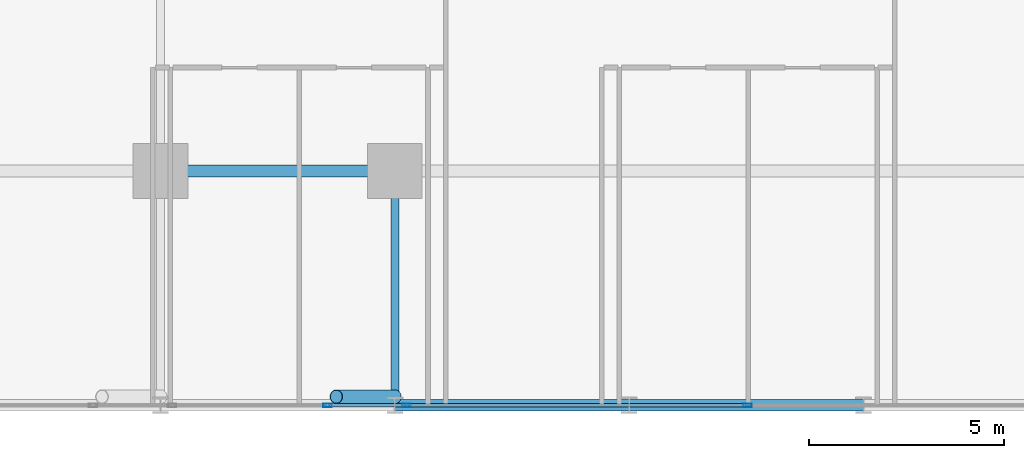
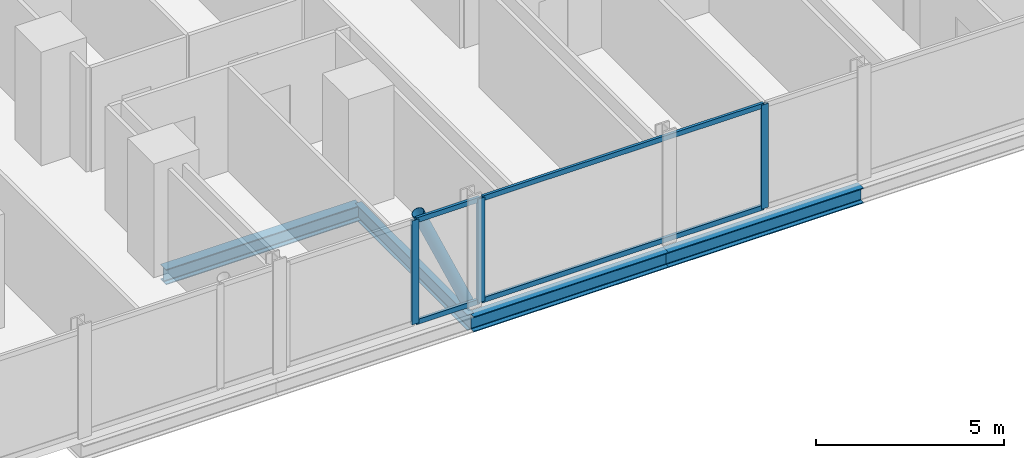
# One storey, part 7 of 33: 8 members, 4 beams, 2 elements without a shape of their own.
"""IFC4 building model written with IfcOpenShell, lengths in metres."""

import ifcopenshell
import ifcopenshell.guid

model = None  # the IFC model being written
_history = None  # IfcOwnerHistory: only IFC2X3 demands one
_inside = {}  # id of a spatial element -> (the spatial element, [elements in it])
_under = {}  # id of a project, library or spatial element -> (it, [spatial elements below it])
_declared = {}  # id of a project -> (the project, [libraries it declares])
_typed = {}  # id of a type object -> (the type object, [elements of that type])
_made_of = {}  # id of a material, layer set ... -> (it, [elements and type objects made of it])


def new_model(schema):
    """Start an empty IFC model of exactly this schema.

    Asked for "IFC4X3", IfcOpenShell would pick the latest addendum, in which some entities
    have other attributes; the version numbers below select the first issue.
    IFC2X3 requires an IfcOwnerHistory on every rooted entity: one is made here for all.
    """
    global model, _history
    if schema == "IFC4X3":
        model = ifcopenshell.file(schema_version=(4, 3, 0, 0))
    else:
        model = ifcopenshell.file(schema=schema)
    _inside.clear()
    _under.clear()
    _declared.clear()
    _typed.clear()
    _made_of.clear()
    _history = None
    if model.schema == "IFC2X3":
        org = make("IfcOrganization", Name="unknown")
        user = make(
            "IfcPersonAndOrganization",
            ThePerson=make("IfcPerson", FamilyName="unknown"),
            TheOrganization=org,
        )
        app = make(
            "IfcApplication",
            ApplicationDeveloper=org,
            Version="unknown",
            ApplicationFullName="unknown",
            ApplicationIdentifier="unknown",
        )
        _history = make(
            "IfcOwnerHistory",
            OwningUser=user,
            OwningApplication=app,
            ChangeAction="ADDED",
            CreationDate=0,
        )
    return model


def make(cls, **values):
    """One entity of the class cls with the attributes given. An attribute that is None is left unset."""
    return model.create_entity(
        cls, **{name: value for name, value in values.items() if value is not None}
    )


def rooted(cls, **values):
    """An entity with a GlobalId (a new one), such as an element, a storey or a relation."""
    return make(cls, GlobalId=ifcopenshell.guid.new(), OwnerHistory=_history, **values)


def si_unit(unit_type, name, prefix=None):
    """IfcSIUnit, for example si_unit("LENGTHUNIT", "METRE", prefix="MILLI")."""
    return make("IfcSIUnit", UnitType=unit_type, Prefix=prefix, Name=name)


def assignment(units):
    """IfcUnitAssignment: the units of a project."""
    return None if units is None else make("IfcUnitAssignment", Units=units)


def point(xyz):
    """IfcCartesianPoint."""
    return None if xyz is None else make("IfcCartesianPoint", Coordinates=xyz)


def direction(xyz):
    """IfcDirection."""
    return None if xyz is None else make("IfcDirection", DirectionRatios=xyz)


def frame(location, z_axis=None, x_axis=None):
    """IfcAxis2Placement3D, a coordinate frame: its origin and axes. An axis left out is left unset."""
    return make(
        "IfcAxis2Placement3D",
        Location=point(location),
        Axis=direction(z_axis),
        RefDirection=direction(x_axis),
    )


def frame_2d(location, x_axis=None):
    """IfcAxis2Placement2D, a coordinate frame in the plane: its origin and x axis."""
    return make(
        "IfcAxis2Placement2D", Location=point(location), RefDirection=direction(x_axis)
    )


def origin():
    """The frame at (0, 0, 0) with its axes left unset."""
    return frame((0.0, 0.0, 0.0))


def origin_2d():
    """The frame at (0, 0) in the plane with its x axis left unset."""
    return frame_2d((0.0, 0.0))


def place(relative_to, where):
    """IfcLocalPlacement: puts the frame where relative to a parent placement (None: the world)."""
    return make(
        "IfcLocalPlacement", PlacementRelTo=relative_to, RelativePlacement=where
    )


def context(
    kind, dimensions, precision=None, world=None, true_north=None, identifier=None
):
    """IfcGeometricRepresentationContext, for example the 3D "Model" context."""
    return make(
        "IfcGeometricRepresentationContext",
        ContextIdentifier=identifier,
        ContextType=kind,
        CoordinateSpaceDimension=dimensions,
        Precision=precision,
        WorldCoordinateSystem=world,
        TrueNorth=true_north,
    )


def subcontext(parent, identifier, kind, view, scale=None):
    """IfcGeometricRepresentationSubContext, for example "Body" below "Model"."""
    return make(
        "IfcGeometricRepresentationSubContext",
        ContextIdentifier=identifier,
        ContextType=kind,
        ParentContext=parent,
        TargetScale=scale,
        TargetView=view,
    )


def project(units=None, contexts=None):
    """IfcProject with its units and contexts."""
    return rooted(
        "IfcProject",
        Name="project",
        RepresentationContexts=contexts,
        UnitsInContext=assignment(units),
    )


def spatial(cls, under=None, at=None, **own):
    """A site, building, storey or space (cls), placed at a placement, below another one or the project."""
    s = rooted(cls, ObjectPlacement=at, **own)
    if under is not None:
        _under.setdefault(under.id(), (under, []))[1].append(s)
    return s


def profile(cls, at=None, kind="AREA", **sizes):
    """A parametric profile (cls). Its sizes go by their IFC names, for example OverallWidth=200.0."""
    return make(cls, ProfileType=kind, Position=at, **sizes)


def hollow_rectangle(**sizes):
    """IfcRectangleHollowProfileDef."""
    return profile("IfcRectangleHollowProfileDef", **sizes)


def hollow_circle(**sizes):
    """IfcCircleHollowProfileDef."""
    return profile("IfcCircleHollowProfileDef", **sizes)


def i_section(**sizes):
    """IfcIShapeProfileDef."""
    return profile("IfcIShapeProfileDef", **sizes)


def extrude(swept, where, along, depth):
    """IfcExtrudedAreaSolid: the profile swept, set in the frame where, extruded along a direction by depth."""
    return make(
        "IfcExtrudedAreaSolid",
        SweptArea=swept,
        Position=where,
        ExtrudedDirection=direction(along),
        Depth=depth,
    )


def shape(context_of_items, identifier, shape_type, items):
    """IfcShapeRepresentation: the items that make up one representation, for example the "Body"."""
    return make(
        "IfcShapeRepresentation",
        ContextOfItems=context_of_items,
        RepresentationIdentifier=identifier,
        RepresentationType=shape_type,
        Items=items,
    )


def material(Name=None, Category=None):
    """IfcMaterial."""
    return make("IfcMaterial", Name=Name, Category=Category)


def layer(
    of_material, thickness, ventilated=None, Name=None, Category=None, Priority=None
):
    """IfcMaterialLayer: one layer of a wall or slab, of a material (None: an air gap)."""
    return make(
        "IfcMaterialLayer",
        Material=of_material,
        LayerThickness=thickness,
        IsVentilated=ventilated,
        Name=Name,
        Category=Category,
        Priority=Priority,
    )


def layer_set(layers, Name=None):
    """IfcMaterialLayerSet."""
    return make("IfcMaterialLayerSet", MaterialLayers=layers, LayerSetName=Name)


def material_profile(
    of_material, cross_section, Name=None, Category=None, Priority=None
):
    """IfcMaterialProfile: a cross section and its material."""
    return make(
        "IfcMaterialProfile",
        Name=Name,
        Material=of_material,
        Profile=cross_section,
        Priority=Priority,
        Category=Category,
    )


def profile_set(profiles, Name=None, composite=None):
    """IfcMaterialProfileSet."""
    return make(
        "IfcMaterialProfileSet",
        Name=Name,
        MaterialProfiles=profiles,
        CompositeProfile=composite,
    )


def made_of(thing, what):
    """Note that an element or type object is made of a material, layer set ...; save() writes the relation."""
    if what is not None:
        _made_of.setdefault(what.id(), (what, []))[1].append(thing)
    return thing


def type_object(cls, material=None, **own):
    """A type object (cls), such as IfcWallType, which elements share."""
    return made_of(rooted(cls, **own), material)


def element(
    cls,
    number,
    at=None,
    inside=None,
    cuts=None,
    type_object=None,
    material=None,
    context=None,
    identifier="Body",
    shape_type=None,
    held_by="IfcProductDefinitionShape",
    body=None,
    shapes=None,
    **own,
):
    """One element of the class cls, such as IfcWall. Its Tag is "e" and its number.

    at: its placement. inside: the storey or other place that contains it. cuts: it is an
    opening in that element (IfcRelVoidsElement). A single representation is given by context,
    identifier, shape_type and body (its items); several are given by shapes. held_by: the class
    of the entity that holds the representations. save() writes the other relations.
    """
    e = rooted(cls, Tag="e%d" % number, ObjectPlacement=at, **own)
    if body is not None:
        shapes = [shape(context, identifier, shape_type, body)]
    if shapes is not None:
        e.Representation = make(held_by, Representations=shapes)
    if inside is not None:
        _inside.setdefault(inside.id(), (inside, []))[1].append(e)
    if cuts is not None:
        rooted(
            "IfcRelVoidsElement", RelatingBuildingElement=cuts, RelatedOpeningElement=e
        )
    if type_object is not None:
        _typed.setdefault(type_object.id(), (type_object, []))[1].append(e)
    return made_of(e, material)


def aggregate(whole, parts):
    """IfcRelAggregates: a whole, such as a stair, and the parts it consists of."""
    return rooted("IfcRelAggregates", RelatingObject=whole, RelatedObjects=parts)


def save(model, path):
    """Write the relations noted so far, then the file.

    IfcRelAggregates (storeys below a building ...), IfcRelContainedInSpatialStructure (elements
    in a storey), IfcRelDefinesByType, IfcRelAssociatesMaterial and IfcRelDeclares: one each for
    every whole, place, type object, material and project.
    """
    for whole, parts in _under.values():
        aggregate(whole, parts)
    for where, things in _inside.values():
        rooted(
            "IfcRelContainedInSpatialStructure",
            RelatedElements=things,
            RelatingStructure=where,
        )
    for kind, things in _typed.values():
        rooted("IfcRelDefinesByType", RelatedObjects=things, RelatingType=kind)
    for what, things in _made_of.values():
        rooted("IfcRelAssociatesMaterial", RelatedObjects=things, RelatingMaterial=what)
    for by, libraries in _declared.values():
        rooted("IfcRelDeclares", RelatingContext=by, RelatedDefinitions=libraries)
    model.write(path)


model = new_model("IFC4")

# Units and contexts
model_context = context("Model", 3, precision=1e-05, world=origin(), true_north=direction((0.0, 1.0)))
body_context = subcontext(model_context, "Body", "Model", "MODEL_VIEW")
ifc_project = project(units=[si_unit("LENGTHUNIT", "METRE"), si_unit("AREAUNIT", "SQUARE_METRE"), si_unit("VOLUMEUNIT", "CUBIC_METRE"), si_unit("PLANEANGLEUNIT", "RADIAN"), si_unit("MASSUNIT", "GRAM", prefix="KILO")], contexts=[model_context])

# Site, building, storey
site_placement = place(None, origin())
site = spatial("IfcSite", under=ifc_project, at=site_placement, CompositionType="ELEMENT")
building_placement = place(site_placement, origin())
building = spatial("IfcBuilding", under=site, at=building_placement, Name="Keshet Zoharim Tower", CompositionType="ELEMENT")
storey_placement = place(building_placement, frame((0.0, 0.0, 49.89990234375)))
storey = spatial("IfcBuildingStorey", under=building, at=storey_placement, Name="L11", CompositionType="ELEMENT", Elevation=49.89990234375)

# Beams
ifc_material_1 = material(Name="Steel S355", Category="steel")
ifc_material_profile_1 = material_profile(ifc_material_1, i_section(OverallWidth=0.199951171875, OverallDepth=0.5, WebThickness=0.01025390625, FlangeThickness=0.01611328125, FilletRadius=0.02099609375, at=origin_2d()), Name="IPE500")
ifc_profile_set_1 = profile_set([ifc_material_profile_1], Name="Steel S355")
beam_type_1 = type_object("IfcBeamType", Name="BM-PRI-IP500", PredefinedType="BEAM", material=ifc_profile_set_1)
beam_placement = place(storey_placement, frame((39.0, 0.699951171875, -0.56494140625), z_axis=(0.0, 1.0, 0.0), x_axis=(-1.0, 0.0, 0.0)))
element("IfcBeam", 1, at=beam_placement, inside=storey, type_object=beam_type_1, Name="L11 Primary Girder Y-012", PredefinedType="BEAM", context=body_context, shape_type="SweptSolid", body=[
    extrude(i_section(OverallWidth=0.199951171875, OverallDepth=0.5, WebThickness=0.01025390625, FlangeThickness=0.01611328125, FilletRadius=0.02099609375, at=origin_2d()), origin(), (0.0, 0.0, 1.0), 6.0),
])
ifc_material_profile_2 = material_profile(ifc_material_1, i_section(OverallWidth=0.300048828125, OverallDepth=0.5, WebThickness=0.014404296875, FlangeThickness=0.028076171875, FilletRadius=0.027099609375, at=origin_2d()), Name="HEB500")
ifc_profile_set_2 = profile_set([ifc_material_profile_2], Name="Steel S355")
beam_type_2 = type_object("IfcBeamType", Name="BM-WEB-HB500", PredefinedType="BEAM", material=ifc_profile_set_2)
for number, where, z_axis, x_axis, name in (
    (2, (39.0, 0.699951171875, -0.56494140625), (1.0, 0.0, 0.0), (0.0, 1.0, 0.0), "L11 Primary Girder X-003"),
    (3, (45.0, 0.699951171875, -0.56494140625), (1.0, 0.0, 0.0), (0.0, 1.0, 0.0), "L11 Primary Girder X-004"),
    (4, (33.0, 6.699951171875, -0.56494140625), (1.0, 0.0, 0.0), (0.0, 1.0, 0.0), "L11 Primary Girder X-008"),
):
    element("IfcBeam", number, at=place(storey_placement, frame(where, z_axis=z_axis, x_axis=x_axis)), inside=storey, type_object=beam_type_2, Name=name, PredefinedType="BEAM", context=body_context, shape_type="SweptSolid", body=[
        extrude(i_section(OverallWidth=0.300048828125, OverallDepth=0.5, WebThickness=0.014404296875, FlangeThickness=0.028076171875, FilletRadius=0.027099609375, at=origin_2d()), origin(), (0.0, 0.0, 1.0), 6.0),
    ])

# Curtain wall, members
ifc_material_2 = material(Name="Aluminium 6063-T6", Category="aluminium")
ifc_layer = layer(ifc_material_2, 0.179931640625)
ifc_layer_set = layer_set([ifc_layer], Name="Aluminium 6063-T6")
curtain_wall_type = type_object("IfcCurtainWallType", Name="CW-SYS-01", PredefinedType="NOTDEFINED", material=ifc_layer_set)
curtain_wall_1_placement = place(storey_placement, origin())
curtain_wall_1 = element("IfcCurtainWall", 5, at=curtain_wall_1_placement, inside=storey, type_object=curtain_wall_type, Name="L11 Unitised Curtain Wall 26", PredefinedType="NOTDEFINED")
ifc_material_profile_3 = material_profile(ifc_material_2, hollow_rectangle(XDim=0.090087890625, YDim=0.219970703125, WallThickness=0.0048828125, at=origin_2d()), Name="MUL-90x220")
ifc_profile_set_3 = profile_set([ifc_material_profile_3], Name="Aluminium 6063-T6")
member_type_1 = type_object("IfcMemberType", Name="CWM-M22", PredefinedType="MULLION", material=ifc_profile_set_3)
member_1_placement = place(storey_placement, frame((48.03271484375, 0.699951171875, 0.0), z_axis=(0.0, 0.0, 1.0), x_axis=(0.0, -1.0, 0.0)))
member_1 = element("IfcMember", 6, at=member_1_placement, type_object=member_type_1, Name="CW-01 mullion 2", PredefinedType="MULLION", context=body_context, shape_type="SweptSolid", body=[
    extrude(hollow_rectangle(XDim=0.090087890625, YDim=0.219970703125, WallThickness=0.0048828125, at=origin_2d()), origin(), (0.0, 0.0, 1.0), 3.385009765625),
])
member_2_placement = place(storey_placement, frame((39.297607421875, 0.699951171875, 0.0), z_axis=(0.0, 0.0, 1.0), x_axis=(0.0, -1.0, 0.0)))
member_2 = element("IfcMember", 7, at=member_2_placement, type_object=member_type_1, Name="CW-01 mullion 3", PredefinedType="MULLION", context=body_context, shape_type="SweptSolid", body=[
    extrude(hollow_rectangle(XDim=0.090087890625, YDim=0.219970703125, WallThickness=0.0048828125, at=origin_2d()), origin(), (0.0, 0.0, 1.0), 3.385009765625),
])

# Curtain wall, member
curtain_wall_2_placement = place(storey_placement, origin())
curtain_wall_2 = element("IfcCurtainWall", 8, at=curtain_wall_2_placement, inside=storey, type_object=curtain_wall_type, Name="L11 Unitised Curtain Wall 26 Part 2", PredefinedType="NOTDEFINED")
member_3_placement = place(storey_placement, frame((37.2724609375, 0.699951171875, 0.0), z_axis=(0.0, 0.0, 1.0), x_axis=(0.0, -1.0, 0.0)))
member_3 = element("IfcMember", 9, at=member_3_placement, type_object=member_type_1, Name="CW-01 mullion 2", PredefinedType="MULLION", context=body_context, shape_type="SweptSolid", body=[
    extrude(hollow_rectangle(XDim=0.090087890625, YDim=0.219970703125, WallThickness=0.0048828125, at=origin_2d()), origin(), (0.0, 0.0, 1.0), 3.385009765625),
])

# Member
ifc_material_profile_4 = material_profile(ifc_material_2, hollow_rectangle(XDim=0.0849609375, YDim=0.159912109375, WallThickness=0.00439453125, at=origin_2d()), Name="TRN-85x160")
ifc_profile_set_4 = profile_set([ifc_material_profile_4], Name="Aluminium 6063-T6")
member_type_2 = type_object("IfcMemberType", Name="CWT-T16", PredefinedType="USERDEFINED", material=ifc_profile_set_4)
member_4_placement = place(storey_placement, frame((47.997802734375, 0.699951171875, 0.03515625), z_axis=(-1.0, 0.0, 0.0), x_axis=(0.0, -1.0, 0.0)))
member_4 = element("IfcMember", 10, at=member_4_placement, type_object=member_type_2, Name="CW-01 transom 2.1", ObjectType="TRANSOM", PredefinedType="USERDEFINED", context=body_context, shape_type="SweptSolid", body=[
    extrude(hollow_rectangle(XDim=0.0849609375, YDim=0.159912109375, WallThickness=0.00439453125, at=origin_2d()), origin(), (0.0, 0.0, 1.0), 8.665283203125),
])

member_5_placement = place(storey_placement, frame((47.997802734375, 0.699951171875, 3.35009765625), z_axis=(-1.0, 0.0, 0.0), x_axis=(0.0, -1.0, 0.0)))
member_5 = element("IfcMember", 11, at=member_5_placement, type_object=member_type_2, Name="CW-01 transom 2.2", ObjectType="TRANSOM", PredefinedType="USERDEFINED", context=body_context, shape_type="SweptSolid", body=[
    extrude(hollow_rectangle(XDim=0.0849609375, YDim=0.159912109375, WallThickness=0.00439453125, at=origin_2d()), origin(), (0.0, 0.0, 1.0), 8.665283203125),
])

aggregate(curtain_wall_1, [member_1, member_2, member_4, member_5])

member_6_placement = place(storey_placement, frame((39.2626953125, 0.699951171875, 0.03515625), z_axis=(-1.0, 0.0, 0.0), x_axis=(0.0, -1.0, 0.0)))
member_6 = element("IfcMember", 12, at=member_6_placement, type_object=member_type_2, Name="CW-01 transom 1.1", ObjectType="TRANSOM", PredefinedType="USERDEFINED", context=body_context, shape_type="SweptSolid", body=[
    extrude(hollow_rectangle(XDim=0.0849609375, YDim=0.159912109375, WallThickness=0.00439453125, at=origin_2d()), origin(), (0.0, 0.0, 1.0), 1.955322265625),
])

member_7_placement = place(storey_placement, frame((39.2626953125, 0.699951171875, 3.35009765625), z_axis=(-1.0, 0.0, 0.0), x_axis=(0.0, -1.0, 0.0)))
member_7 = element("IfcMember", 13, at=member_7_placement, type_object=member_type_2, Name="CW-01 transom 1.2", ObjectType="TRANSOM", PredefinedType="USERDEFINED", context=body_context, shape_type="SweptSolid", body=[
    extrude(hollow_rectangle(XDim=0.0849609375, YDim=0.159912109375, WallThickness=0.00439453125, at=origin_2d()), origin(), (0.0, 0.0, 1.0), 1.955322265625),
])

aggregate(curtain_wall_2, [member_3, member_6, member_7])

ifc_material_profile_5 = material_profile(ifc_material_1, hollow_circle(Radius=0.177734375, WallThickness=0.012451171875, at=origin_2d()), Name="CHS355x12.5")
ifc_profile_set_5 = profile_set([ifc_material_profile_5], Name="Steel S355")
member_type_3 = type_object("IfcMemberType", Name="MB-BR-C355", PredefinedType="BRACE", material=ifc_profile_set_5)
member_8_placement = place(storey_placement, frame((39.0, 0.919921875, 0.0), z_axis=(-0.405134846829, 0.0, 0.91425694194), x_axis=(0.0, -1.0, 0.0)))
element("IfcMember", 14, at=member_8_placement, inside=storey, type_object=member_type_3, Name="L11 Perimeter Tube Brace 03", PredefinedType="BRACE", context=body_context, shape_type="SweptSolid", body=[
    extrude(hollow_circle(Radius=0.177734375, WallThickness=0.012451171875, at=origin_2d()), origin(), (0.0, 0.0, 1.0), 3.702392578125),
])

save(model, "model.ifc")
